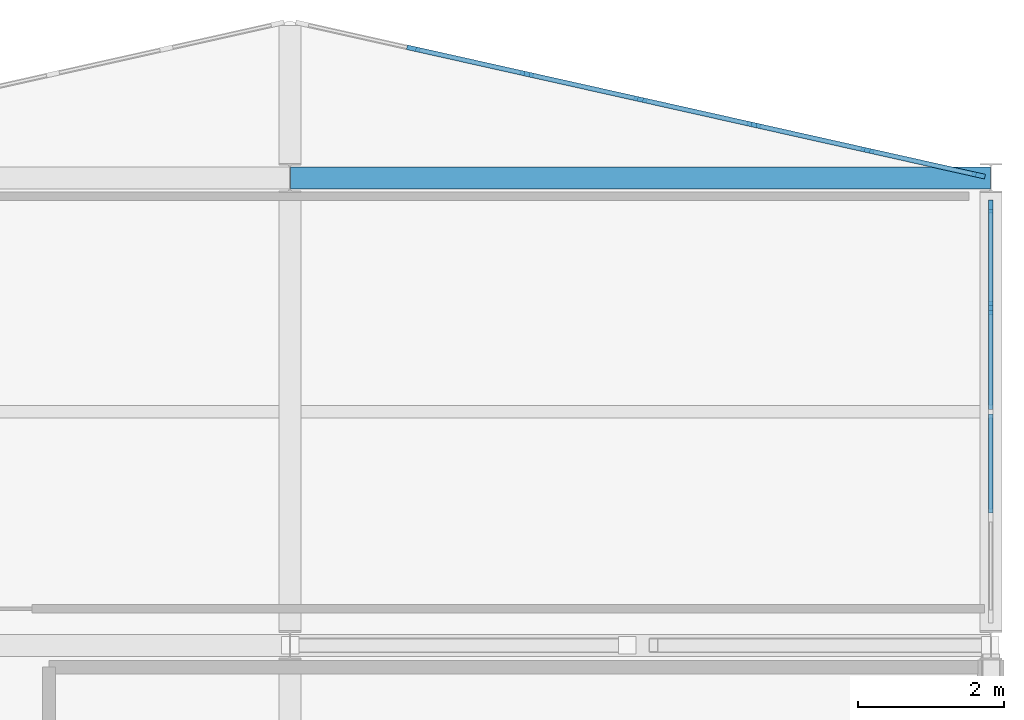
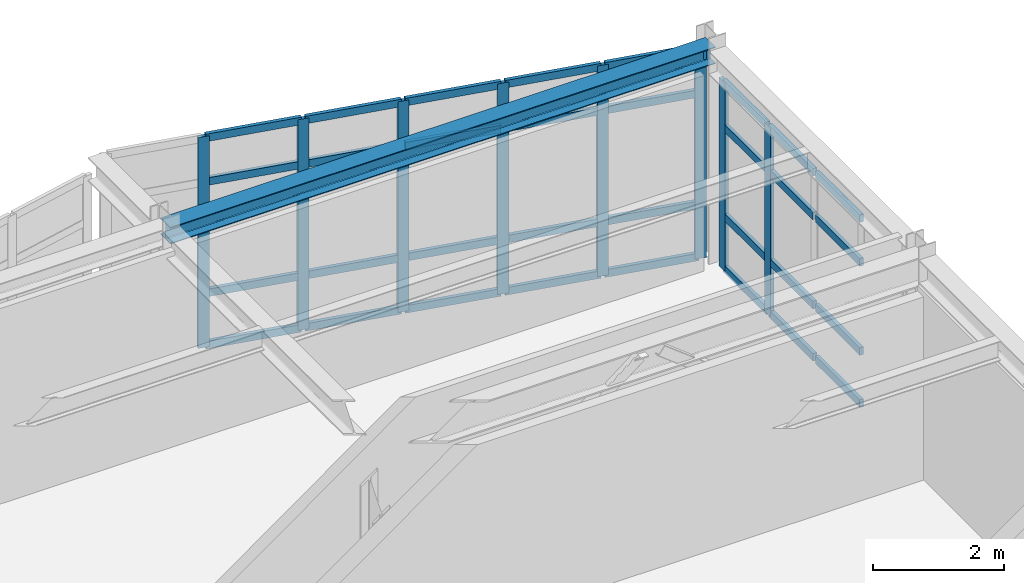
# One storey, part 27 of 47: 40 members, 1 beam, 2 elements without a shape of their own.
"""IFC4 building model written with IfcOpenShell, lengths in metres."""

from ifc_helpers import new_model, si_unit, direction, frame, origin, origin_2d, place, context, subcontext, project, spatial, rectangle, i_section, extrude, material, layer, layer_set, material_profile, profile_set, type_object, element, aggregate, save


model = new_model("IFC4")

# Units and contexts
model_context = context("Model", 3, precision=1e-05, world=origin(), true_north=direction((0.0, 1.0)))
body_context = subcontext(model_context, "Body", "Model", "MODEL_VIEW")
ifc_project = project(units=[si_unit("LENGTHUNIT", "METRE"), si_unit("AREAUNIT", "SQUARE_METRE"), si_unit("VOLUMEUNIT", "CUBIC_METRE"), si_unit("PLANEANGLEUNIT", "RADIAN"), si_unit("MASSUNIT", "GRAM", prefix="KILO")], contexts=[model_context])

# Site, building, storey
site_placement = place(None, origin())
site = spatial("IfcSite", under=ifc_project, at=site_placement, CompositionType="ELEMENT")
building_placement = place(site_placement, origin())
building = spatial("IfcBuilding", under=site, at=building_placement, Name="Nordkorset Police Headquarters", CompositionType="ELEMENT")
storey_placement = place(building_placement, frame((0.0, 0.0, 22.050048828125)))
storey = spatial("IfcBuildingStorey", under=building, at=storey_placement, Name="L05", CompositionType="ELEMENT", Elevation=22.050048828125)

# Curtain wall, members
ifc_material_1 = material(Name="Aluminium alloy AW-6060", Category="aluminium")
ifc_layer_1 = layer(ifc_material_1, 0.179931640625, Name="Aluminium alloy AW-6060")
ifc_layer_set_1 = layer_set([ifc_layer_1], Name="Aluminium alloy AW-6060")
curtain_wall_type_1 = type_object("IfcCurtainWallType", Name="CW_Unit_956x392", PredefinedType="USERDEFINED", material=ifc_layer_set_1)
curtain_wall_1_placement = place(storey_placement, origin())
curtain_wall_1 = element("IfcCurtainWall", 1, at=curtain_wall_1_placement, inside=storey, type_object=curtain_wall_type_1, Name="Unitised Curtain Wall L05 V2N-5", ObjectType="UNITISED CURTAIN WALL", PredefinedType="USERDEFINED")
ifc_material_2 = material(Name="Aluminium alloy AW-6060", Category="aluminium")
ifc_material_profile_1 = material_profile(ifc_material_2, rectangle(XDim=0.06494140625, YDim=0.179931640625, at=origin_2d()), Name="ALU MULL 65x180")
ifc_profile_set_1 = profile_set([ifc_material_profile_1], Name="Aluminium alloy AW-6060")
member_type_1 = type_object("IfcMemberType", Name="CW_Mullion_65x180", PredefinedType="MULLION", material=ifc_profile_set_1)
member_1_placement = place(storey_placement, frame((78.490966796875, 118.5712890625, 0.0), z_axis=(0.0, 0.0, 1.0), x_axis=(0.218544020358, 0.975827090814, 0.0)))
member_1 = element("IfcMember", 2, at=member_1_placement, type_object=member_type_1, Name="CW-41 mullion 2", PredefinedType="MULLION", context=body_context, shape_type="SweptSolid", body=[
    extrude(rectangle(XDim=0.06494140625, YDim=0.179931640625, at=origin_2d()), origin(), (0.0, 0.0, 1.0), 3.919921875),
])
member_2_placement = place(storey_placement, frame((80.045654296875, 118.22314453125, 0.0), z_axis=(0.0, 0.0, 1.0), x_axis=(0.218544020358, 0.975827090814, 0.0)))
member_2 = element("IfcMember", 3, at=member_2_placement, type_object=member_type_1, Name="CW-41 mullion 3", PredefinedType="MULLION", context=body_context, shape_type="SweptSolid", body=[
    extrude(rectangle(XDim=0.06494140625, YDim=0.179931640625, at=origin_2d()), origin(), (0.0, 0.0, 1.0), 3.919921875),
])
member_3_placement = place(storey_placement, frame((81.60009765625, 117.875, 0.0), z_axis=(0.0, 0.0, 1.0), x_axis=(0.218544020358, 0.975827090814, 0.0)))
member_3 = element("IfcMember", 4, at=member_3_placement, type_object=member_type_1, Name="CW-41 mullion 4", PredefinedType="MULLION", context=body_context, shape_type="SweptSolid", body=[
    extrude(rectangle(XDim=0.06494140625, YDim=0.179931640625, at=origin_2d()), origin(), (0.0, 0.0, 1.0), 3.919921875),
])
member_4_placement = place(storey_placement, frame((83.154541015625, 117.52685546875, 0.0), z_axis=(0.0, 0.0, 1.0), x_axis=(0.218544020358, 0.975827090814, 0.0)))
member_4 = element("IfcMember", 5, at=member_4_placement, type_object=member_type_1, Name="CW-41 mullion 5", PredefinedType="MULLION", context=body_context, shape_type="SweptSolid", body=[
    extrude(rectangle(XDim=0.06494140625, YDim=0.179931640625, at=origin_2d()), origin(), (0.0, 0.0, 1.0), 3.919921875),
])
member_5_placement = place(storey_placement, frame((84.708984375, 117.1787109375, 0.0), z_axis=(0.0, 0.0, 1.0), x_axis=(0.218544020358, 0.975827090814, 0.0)))
member_5 = element("IfcMember", 6, at=member_5_placement, type_object=member_type_1, Name="CW-41 mullion 6", PredefinedType="MULLION", context=body_context, shape_type="SweptSolid", body=[
    extrude(rectangle(XDim=0.06494140625, YDim=0.179931640625, at=origin_2d()), origin(), (0.0, 0.0, 1.0), 3.919921875),
])
member_6_placement = place(storey_placement, frame((86.231689453125, 116.837646484375, 0.0), z_axis=(0.0, 0.0, 1.0), x_axis=(0.218544020358, 0.975827090814, 0.0)))
member_6 = element("IfcMember", 7, at=member_6_placement, type_object=member_type_1, Name="CW-41 mullion 7", PredefinedType="MULLION", context=body_context, shape_type="SweptSolid", body=[
    extrude(rectangle(XDim=0.06494140625, YDim=0.179931640625, at=origin_2d()), origin(), (0.0, 0.0, 1.0), 3.919921875),
])

ifc_material_3 = material(Name="Aluminium alloy AW-6060", Category="aluminium")
ifc_layer_2 = layer(ifc_material_3, 0.179931640625, Name="Aluminium alloy AW-6060")
ifc_layer_set_2 = layer_set([ifc_layer_2], Name="Aluminium alloy AW-6060")
curtain_wall_type_2 = type_object("IfcCurtainWallType", Name="CW_Unit_568x350", PredefinedType="USERDEFINED", material=ifc_layer_set_2)
curtain_wall_2_placement = place(storey_placement, origin())
curtain_wall_2 = element("IfcCurtainWall", 8, at=curtain_wall_2_placement, inside=storey, type_object=curtain_wall_type_2, Name="Unitised Curtain Wall L05 V2E-1", ObjectType="UNITISED CURTAIN WALL", PredefinedType="USERDEFINED")
member_7_placement = place(storey_placement, frame((86.39990234375, 115.02001953125, 0.0), z_axis=(0.0, 0.0, 1.0), x_axis=(-1.0, 0.0, 0.0)))
member_7 = element("IfcMember", 9, at=member_7_placement, type_object=member_type_1, Name="CW-23 mullion 4", PredefinedType="MULLION", context=body_context, shape_type="SweptSolid", body=[
    extrude(rectangle(XDim=0.06494140625, YDim=0.179931640625, at=origin_2d()), origin(), (0.0, 0.0, 1.0), 3.5048828125),
])
member_8_placement = place(storey_placement, frame((86.39990234375, 116.407470703125, 0.0), z_axis=(0.0, 0.0, 1.0), x_axis=(-1.0, 0.0, 0.0)))
member_8 = element("IfcMember", 10, at=member_8_placement, type_object=member_type_1, Name="CW-23 mullion 5", PredefinedType="MULLION", context=body_context, shape_type="SweptSolid", body=[
    extrude(rectangle(XDim=0.06494140625, YDim=0.179931640625, at=origin_2d()), origin(), (0.0, 0.0, 1.0), 3.5048828125),
])

# Member
ifc_material_4 = material(Name="Aluminium alloy AW-6060", Category="aluminium")
ifc_material_profile_2 = material_profile(ifc_material_4, rectangle(XDim=0.06494140625, YDim=0.139892578125, at=origin_2d()), Name="ALU TRAN 65x140")
ifc_profile_set_2 = profile_set([ifc_material_profile_2], Name="Aluminium alloy AW-6060")
member_type_2 = type_object("IfcMemberType", Name="CW_Transom_65x140", PredefinedType="USERDEFINED", material=ifc_profile_set_2)
member_9_placement = place(storey_placement, frame((78.522705078125, 118.564208984375, 0.032470703125), z_axis=(0.975824835817, -0.218554088965, 0.0), x_axis=(0.218554088965, 0.975824835817, 0.0)))
member_9 = element("IfcMember", 11, at=member_9_placement, type_object=member_type_2, Name="CW-41 transom 2.1", ObjectType="TRANSOM", PredefinedType="USERDEFINED", context=body_context, shape_type="SweptSolid", body=[
    extrude(rectangle(XDim=0.06494140625, YDim=0.139892578125, at=origin_2d()), origin(), (0.0, 0.0, 1.0), 1.528076171875),
])

member_10_placement = place(storey_placement, frame((78.522705078125, 118.564208984375, 1.0), z_axis=(0.975824835817, -0.218554088965, 0.0), x_axis=(0.218554088965, 0.975824835817, 0.0)))
member_10 = element("IfcMember", 12, at=member_10_placement, type_object=member_type_2, Name="CW-41 transom 2.2", ObjectType="TRANSOM", PredefinedType="USERDEFINED", context=body_context, shape_type="SweptSolid", body=[
    extrude(rectangle(XDim=0.06494140625, YDim=0.139892578125, at=origin_2d()), origin(), (0.0, 0.0, 1.0), 1.528076171875),
])

member_11_placement = place(storey_placement, frame((78.522705078125, 118.564208984375, 3.070068359375), z_axis=(0.975824835817, -0.218554088965, 0.0), x_axis=(0.218554088965, 0.975824835817, 0.0)))
member_11 = element("IfcMember", 13, at=member_11_placement, type_object=member_type_2, Name="CW-41 transom 2.3", ObjectType="TRANSOM", PredefinedType="USERDEFINED", context=body_context, shape_type="SweptSolid", body=[
    extrude(rectangle(XDim=0.06494140625, YDim=0.139892578125, at=origin_2d()), origin(), (0.0, 0.0, 1.0), 1.528076171875),
])

member_12_placement = place(storey_placement, frame((78.522705078125, 118.564208984375, 3.887451171875), z_axis=(0.975824835817, -0.218554088965, 0.0), x_axis=(0.218554088965, 0.975824835817, 0.0)))
member_12 = element("IfcMember", 14, at=member_12_placement, type_object=member_type_2, Name="CW-41 transom 2.4", ObjectType="TRANSOM", PredefinedType="USERDEFINED", context=body_context, shape_type="SweptSolid", body=[
    extrude(rectangle(XDim=0.06494140625, YDim=0.139892578125, at=origin_2d()), origin(), (0.0, 0.0, 1.0), 1.528076171875),
])

member_13_placement = place(storey_placement, frame((80.0771484375, 118.216064453125, 0.032470703125), z_axis=(0.975824835817, -0.218554088965, 0.0), x_axis=(0.218554088965, 0.975824835817, 0.0)))
member_13 = element("IfcMember", 15, at=member_13_placement, type_object=member_type_2, Name="CW-41 transom 3.1", ObjectType="TRANSOM", PredefinedType="USERDEFINED", context=body_context, shape_type="SweptSolid", body=[
    extrude(rectangle(XDim=0.06494140625, YDim=0.139892578125, at=origin_2d()), origin(), (0.0, 0.0, 1.0), 1.528076171875),
])

member_14_placement = place(storey_placement, frame((80.0771484375, 118.216064453125, 1.0), z_axis=(0.975824835817, -0.218554088965, 0.0), x_axis=(0.218554088965, 0.975824835817, 0.0)))
member_14 = element("IfcMember", 16, at=member_14_placement, type_object=member_type_2, Name="CW-41 transom 3.2", ObjectType="TRANSOM", PredefinedType="USERDEFINED", context=body_context, shape_type="SweptSolid", body=[
    extrude(rectangle(XDim=0.06494140625, YDim=0.139892578125, at=origin_2d()), origin(), (0.0, 0.0, 1.0), 1.528076171875),
])

member_15_placement = place(storey_placement, frame((80.0771484375, 118.216064453125, 3.070068359375), z_axis=(0.975824835817, -0.218554088965, 0.0), x_axis=(0.218554088965, 0.975824835817, 0.0)))
member_15 = element("IfcMember", 17, at=member_15_placement, type_object=member_type_2, Name="CW-41 transom 3.3", ObjectType="TRANSOM", PredefinedType="USERDEFINED", context=body_context, shape_type="SweptSolid", body=[
    extrude(rectangle(XDim=0.06494140625, YDim=0.139892578125, at=origin_2d()), origin(), (0.0, 0.0, 1.0), 1.528076171875),
])

member_16_placement = place(storey_placement, frame((80.0771484375, 118.216064453125, 3.887451171875), z_axis=(0.975824835817, -0.218554088965, 0.0), x_axis=(0.218554088965, 0.975824835817, 0.0)))
member_16 = element("IfcMember", 18, at=member_16_placement, type_object=member_type_2, Name="CW-41 transom 3.4", ObjectType="TRANSOM", PredefinedType="USERDEFINED", context=body_context, shape_type="SweptSolid", body=[
    extrude(rectangle(XDim=0.06494140625, YDim=0.139892578125, at=origin_2d()), origin(), (0.0, 0.0, 1.0), 1.528076171875),
])

member_17_placement = place(storey_placement, frame((81.6318359375, 117.867919921875, 0.032470703125), z_axis=(0.975817202869, -0.218588166616, 0.0), x_axis=(0.218588166616, 0.975817202869, 0.0)))
member_17 = element("IfcMember", 19, at=member_17_placement, type_object=member_type_2, Name="CW-41 transom 4.1", ObjectType="TRANSOM", PredefinedType="USERDEFINED", context=body_context, shape_type="SweptSolid", body=[
    extrude(rectangle(XDim=0.06494140625, YDim=0.139892578125, at=origin_2d()), origin(), (0.0, 0.0, 1.0), 1.52783203125),
])

member_18_placement = place(storey_placement, frame((81.6318359375, 117.867919921875, 1.0), z_axis=(0.975817202869, -0.218588166616, 0.0), x_axis=(0.218588166616, 0.975817202869, 0.0)))
member_18 = element("IfcMember", 20, at=member_18_placement, type_object=member_type_2, Name="CW-41 transom 4.2", ObjectType="TRANSOM", PredefinedType="USERDEFINED", context=body_context, shape_type="SweptSolid", body=[
    extrude(rectangle(XDim=0.06494140625, YDim=0.139892578125, at=origin_2d()), origin(), (0.0, 0.0, 1.0), 1.52783203125),
])

member_19_placement = place(storey_placement, frame((81.6318359375, 117.867919921875, 3.070068359375), z_axis=(0.975817202869, -0.218588166616, 0.0), x_axis=(0.218588166616, 0.975817202869, 0.0)))
member_19 = element("IfcMember", 21, at=member_19_placement, type_object=member_type_2, Name="CW-41 transom 4.3", ObjectType="TRANSOM", PredefinedType="USERDEFINED", context=body_context, shape_type="SweptSolid", body=[
    extrude(rectangle(XDim=0.06494140625, YDim=0.139892578125, at=origin_2d()), origin(), (0.0, 0.0, 1.0), 1.52783203125),
])

member_20_placement = place(storey_placement, frame((81.6318359375, 117.867919921875, 3.887451171875), z_axis=(0.975817202869, -0.218588166616, 0.0), x_axis=(0.218588166616, 0.975817202869, 0.0)))
member_20 = element("IfcMember", 22, at=member_20_placement, type_object=member_type_2, Name="CW-41 transom 4.4", ObjectType="TRANSOM", PredefinedType="USERDEFINED", context=body_context, shape_type="SweptSolid", body=[
    extrude(rectangle(XDim=0.06494140625, YDim=0.139892578125, at=origin_2d()), origin(), (0.0, 0.0, 1.0), 1.52783203125),
])

member_21_placement = place(storey_placement, frame((83.186279296875, 117.519775390625, 0.032470703125), z_axis=(0.975817202869, -0.218588166616, 0.0), x_axis=(0.218588166616, 0.975817202869, 0.0)))
member_21 = element("IfcMember", 23, at=member_21_placement, type_object=member_type_2, Name="CW-41 transom 5.1", ObjectType="TRANSOM", PredefinedType="USERDEFINED", context=body_context, shape_type="SweptSolid", body=[
    extrude(rectangle(XDim=0.06494140625, YDim=0.139892578125, at=origin_2d()), origin(), (0.0, 0.0, 1.0), 1.52783203125),
])

member_22_placement = place(storey_placement, frame((83.186279296875, 117.519775390625, 1.0), z_axis=(0.975817202869, -0.218588166616, 0.0), x_axis=(0.218588166616, 0.975817202869, 0.0)))
member_22 = element("IfcMember", 24, at=member_22_placement, type_object=member_type_2, Name="CW-41 transom 5.2", ObjectType="TRANSOM", PredefinedType="USERDEFINED", context=body_context, shape_type="SweptSolid", body=[
    extrude(rectangle(XDim=0.06494140625, YDim=0.139892578125, at=origin_2d()), origin(), (0.0, 0.0, 1.0), 1.52783203125),
])

member_23_placement = place(storey_placement, frame((83.186279296875, 117.519775390625, 3.070068359375), z_axis=(0.975817202869, -0.218588166616, 0.0), x_axis=(0.218588166616, 0.975817202869, 0.0)))
member_23 = element("IfcMember", 25, at=member_23_placement, type_object=member_type_2, Name="CW-41 transom 5.3", ObjectType="TRANSOM", PredefinedType="USERDEFINED", context=body_context, shape_type="SweptSolid", body=[
    extrude(rectangle(XDim=0.06494140625, YDim=0.139892578125, at=origin_2d()), origin(), (0.0, 0.0, 1.0), 1.52783203125),
])

member_24_placement = place(storey_placement, frame((83.186279296875, 117.519775390625, 3.887451171875), z_axis=(0.975817202869, -0.218588166616, 0.0), x_axis=(0.218588166616, 0.975817202869, 0.0)))
member_24 = element("IfcMember", 26, at=member_24_placement, type_object=member_type_2, Name="CW-41 transom 5.4", ObjectType="TRANSOM", PredefinedType="USERDEFINED", context=body_context, shape_type="SweptSolid", body=[
    extrude(rectangle(XDim=0.06494140625, YDim=0.139892578125, at=origin_2d()), origin(), (0.0, 0.0, 1.0), 1.52783203125),
])

member_25_placement = place(storey_placement, frame((84.74072265625, 117.171630859375, 0.032470703125), z_axis=(0.975813000089, -0.218606927743, 0.0), x_axis=(0.218606927743, 0.975813000089, 0.0)))
member_25 = element("IfcMember", 27, at=member_25_placement, type_object=member_type_2, Name="CW-41 transom 6.1", ObjectType="TRANSOM", PredefinedType="USERDEFINED", context=body_context, shape_type="SweptSolid", body=[
    extrude(rectangle(XDim=0.06494140625, YDim=0.139892578125, at=origin_2d()), origin(), (0.0, 0.0, 1.0), 1.495361328125),
])

member_26_placement = place(storey_placement, frame((84.74072265625, 117.171630859375, 1.0), z_axis=(0.975813000089, -0.218606927743, 0.0), x_axis=(0.218606927743, 0.975813000089, 0.0)))
member_26 = element("IfcMember", 28, at=member_26_placement, type_object=member_type_2, Name="CW-41 transom 6.2", ObjectType="TRANSOM", PredefinedType="USERDEFINED", context=body_context, shape_type="SweptSolid", body=[
    extrude(rectangle(XDim=0.06494140625, YDim=0.139892578125, at=origin_2d()), origin(), (0.0, 0.0, 1.0), 1.495361328125),
])

member_27_placement = place(storey_placement, frame((84.74072265625, 117.171630859375, 3.070068359375), z_axis=(0.975813000089, -0.218606927743, 0.0), x_axis=(0.218606927743, 0.975813000089, 0.0)))
member_27 = element("IfcMember", 29, at=member_27_placement, type_object=member_type_2, Name="CW-41 transom 6.3", ObjectType="TRANSOM", PredefinedType="USERDEFINED", context=body_context, shape_type="SweptSolid", body=[
    extrude(rectangle(XDim=0.06494140625, YDim=0.139892578125, at=origin_2d()), origin(), (0.0, 0.0, 1.0), 1.495361328125),
])

member_28_placement = place(storey_placement, frame((84.74072265625, 117.171630859375, 3.887451171875), z_axis=(0.975813000089, -0.218606927743, 0.0), x_axis=(0.218606927743, 0.975813000089, 0.0)))
member_28 = element("IfcMember", 30, at=member_28_placement, type_object=member_type_2, Name="CW-41 transom 6.4", ObjectType="TRANSOM", PredefinedType="USERDEFINED", context=body_context, shape_type="SweptSolid", body=[
    extrude(rectangle(XDim=0.06494140625, YDim=0.139892578125, at=origin_2d()), origin(), (0.0, 0.0, 1.0), 1.495361328125),
])

aggregate(curtain_wall_1, [member_1, member_2, member_3, member_4, member_5, member_6, member_9, member_10, member_11, member_12, member_13, member_14, member_15, member_16, member_17, member_18, member_19, member_20, member_21, member_22, member_23, member_24, member_25, member_26, member_27, member_28])

member_29_placement = place(storey_placement, frame((86.39990234375, 112.21240234375, 0.032470703125), z_axis=(0.0, 1.0, 0.0), x_axis=(-1.0, 0.0, 0.0)))
member_29 = element("IfcMember", 31, at=member_29_placement, type_object=member_type_2, Name="CW-23 transom 2.1", ObjectType="TRANSOM", PredefinedType="USERDEFINED", context=body_context, shape_type="SweptSolid", body=[
    extrude(rectangle(XDim=0.06494140625, YDim=0.139892578125, at=origin_2d()), origin(), (0.0, 0.0, 1.0), 1.35498046875),
])

member_30_placement = place(storey_placement, frame((86.39990234375, 112.21240234375, 1.0), z_axis=(0.0, 1.0, 0.0), x_axis=(-1.0, 0.0, 0.0)))
member_30 = element("IfcMember", 32, at=member_30_placement, type_object=member_type_2, Name="CW-23 transom 2.2", ObjectType="TRANSOM", PredefinedType="USERDEFINED", context=body_context, shape_type="SweptSolid", body=[
    extrude(rectangle(XDim=0.06494140625, YDim=0.139892578125, at=origin_2d()), origin(), (0.0, 0.0, 1.0), 1.35498046875),
])

member_31_placement = place(storey_placement, frame((86.39990234375, 112.21240234375, 2.655029296875), z_axis=(0.0, 1.0, 0.0), x_axis=(-1.0, 0.0, 0.0)))
member_31 = element("IfcMember", 33, at=member_31_placement, type_object=member_type_2, Name="CW-23 transom 2.3", ObjectType="TRANSOM", PredefinedType="USERDEFINED", context=body_context, shape_type="SweptSolid", body=[
    extrude(rectangle(XDim=0.06494140625, YDim=0.139892578125, at=origin_2d()), origin(), (0.0, 0.0, 1.0), 1.35498046875),
])

member_32_placement = place(storey_placement, frame((86.39990234375, 112.21240234375, 3.472412109375), z_axis=(0.0, 1.0, 0.0), x_axis=(-1.0, 0.0, 0.0)))
member_32 = element("IfcMember", 34, at=member_32_placement, type_object=member_type_2, Name="CW-23 transom 2.4", ObjectType="TRANSOM", PredefinedType="USERDEFINED", context=body_context, shape_type="SweptSolid", body=[
    extrude(rectangle(XDim=0.06494140625, YDim=0.139892578125, at=origin_2d()), origin(), (0.0, 0.0, 1.0), 1.35498046875),
])

member_33_placement = place(storey_placement, frame((86.39990234375, 113.632568359375, 0.032470703125), z_axis=(0.0, 1.0, 0.0), x_axis=(-1.0, 0.0, 0.0)))
member_33 = element("IfcMember", 35, at=member_33_placement, type_object=member_type_2, Name="CW-23 transom 3.1", ObjectType="TRANSOM", PredefinedType="USERDEFINED", context=body_context, shape_type="SweptSolid", body=[
    extrude(rectangle(XDim=0.06494140625, YDim=0.139892578125, at=origin_2d()), origin(), (0.0, 0.0, 1.0), 1.35498046875),
])

member_34_placement = place(storey_placement, frame((86.39990234375, 113.632568359375, 1.0), z_axis=(0.0, 1.0, 0.0), x_axis=(-1.0, 0.0, 0.0)))
member_34 = element("IfcMember", 36, at=member_34_placement, type_object=member_type_2, Name="CW-23 transom 3.2", ObjectType="TRANSOM", PredefinedType="USERDEFINED", context=body_context, shape_type="SweptSolid", body=[
    extrude(rectangle(XDim=0.06494140625, YDim=0.139892578125, at=origin_2d()), origin(), (0.0, 0.0, 1.0), 1.35498046875),
])

member_35_placement = place(storey_placement, frame((86.39990234375, 113.632568359375, 2.655029296875), z_axis=(0.0, 1.0, 0.0), x_axis=(-1.0, 0.0, 0.0)))
member_35 = element("IfcMember", 37, at=member_35_placement, type_object=member_type_2, Name="CW-23 transom 3.3", ObjectType="TRANSOM", PredefinedType="USERDEFINED", context=body_context, shape_type="SweptSolid", body=[
    extrude(rectangle(XDim=0.06494140625, YDim=0.139892578125, at=origin_2d()), origin(), (0.0, 0.0, 1.0), 1.35498046875),
])

member_36_placement = place(storey_placement, frame((86.39990234375, 113.632568359375, 3.472412109375), z_axis=(0.0, 1.0, 0.0), x_axis=(-1.0, 0.0, 0.0)))
member_36 = element("IfcMember", 38, at=member_36_placement, type_object=member_type_2, Name="CW-23 transom 3.4", ObjectType="TRANSOM", PredefinedType="USERDEFINED", context=body_context, shape_type="SweptSolid", body=[
    extrude(rectangle(XDim=0.06494140625, YDim=0.139892578125, at=origin_2d()), origin(), (0.0, 0.0, 1.0), 1.35498046875),
])

member_37_placement = place(storey_placement, frame((86.39990234375, 115.052490234375, 0.032470703125), z_axis=(0.0, 1.0, 0.0), x_axis=(-1.0, 0.0, 0.0)))
member_37 = element("IfcMember", 39, at=member_37_placement, type_object=member_type_2, Name="CW-23 transom 4.1", ObjectType="TRANSOM", PredefinedType="USERDEFINED", context=body_context, shape_type="SweptSolid", body=[
    extrude(rectangle(XDim=0.06494140625, YDim=0.139892578125, at=origin_2d()), origin(), (0.0, 0.0, 1.0), 1.322509765625),
])

member_38_placement = place(storey_placement, frame((86.39990234375, 115.052490234375, 1.0), z_axis=(0.0, 1.0, 0.0), x_axis=(-1.0, 0.0, 0.0)))
member_38 = element("IfcMember", 40, at=member_38_placement, type_object=member_type_2, Name="CW-23 transom 4.2", ObjectType="TRANSOM", PredefinedType="USERDEFINED", context=body_context, shape_type="SweptSolid", body=[
    extrude(rectangle(XDim=0.06494140625, YDim=0.139892578125, at=origin_2d()), origin(), (0.0, 0.0, 1.0), 1.322509765625),
])

member_39_placement = place(storey_placement, frame((86.39990234375, 115.052490234375, 2.655029296875), z_axis=(0.0, 1.0, 0.0), x_axis=(-1.0, 0.0, 0.0)))
member_39 = element("IfcMember", 41, at=member_39_placement, type_object=member_type_2, Name="CW-23 transom 4.3", ObjectType="TRANSOM", PredefinedType="USERDEFINED", context=body_context, shape_type="SweptSolid", body=[
    extrude(rectangle(XDim=0.06494140625, YDim=0.139892578125, at=origin_2d()), origin(), (0.0, 0.0, 1.0), 1.322509765625),
])

member_40_placement = place(storey_placement, frame((86.39990234375, 115.052490234375, 3.472412109375), z_axis=(0.0, 1.0, 0.0), x_axis=(-1.0, 0.0, 0.0)))
member_40 = element("IfcMember", 42, at=member_40_placement, type_object=member_type_2, Name="CW-23 transom 4.4", ObjectType="TRANSOM", PredefinedType="USERDEFINED", context=body_context, shape_type="SweptSolid", body=[
    extrude(rectangle(XDim=0.06494140625, YDim=0.139892578125, at=origin_2d()), origin(), (0.0, 0.0, 1.0), 1.322509765625),
])

aggregate(curtain_wall_2, [member_7, member_8, member_29, member_30, member_31, member_32, member_33, member_34, member_35, member_36, member_37, member_38, member_39, member_40])

# Beam
ifc_material_5 = material(Name="Steel S355J2", Category="steel")
ifc_material_profile_3 = material_profile(ifc_material_5, i_section(OverallWidth=0.300048828125, OverallDepth=0.31005859375, WebThickness=0.009033203125, FlangeThickness=0.015380859375, FilletRadius=0.027099609375, at=origin_2d()), Name="HEA 320")
ifc_profile_set_3 = profile_set([ifc_material_profile_3], Name="Steel S355J2")
beam_type = type_object("IfcBeamType", Name="Spandrel_HEA_320", PredefinedType="SPANDREL", material=ifc_profile_set_3)
beam_placement = place(storey_placement, frame((76.806640625, 116.800048828125, 3.81005859375), z_axis=(1.0, 0.0, 0.0), x_axis=(0.0, 1.0, 0.0)))
element("IfcBeam", 43, at=beam_placement, inside=storey, type_object=beam_type, Name="Girder V2 L05 GX-2-5", PredefinedType="SPANDREL", context=body_context, shape_type="SweptSolid", body=[
    extrude(i_section(OverallWidth=0.300048828125, OverallDepth=0.31005859375, WebThickness=0.009033203125, FlangeThickness=0.015380859375, FilletRadius=0.027099609375, at=origin_2d()), origin(), (0.0, 0.0, 1.0), 9.586669921875),
])

save(model, "model.ifc")
